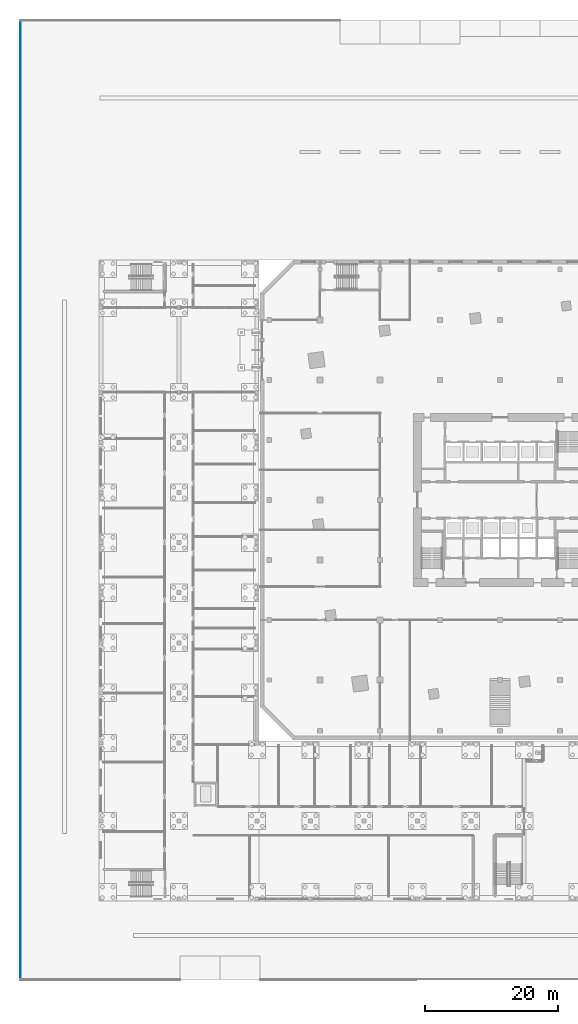
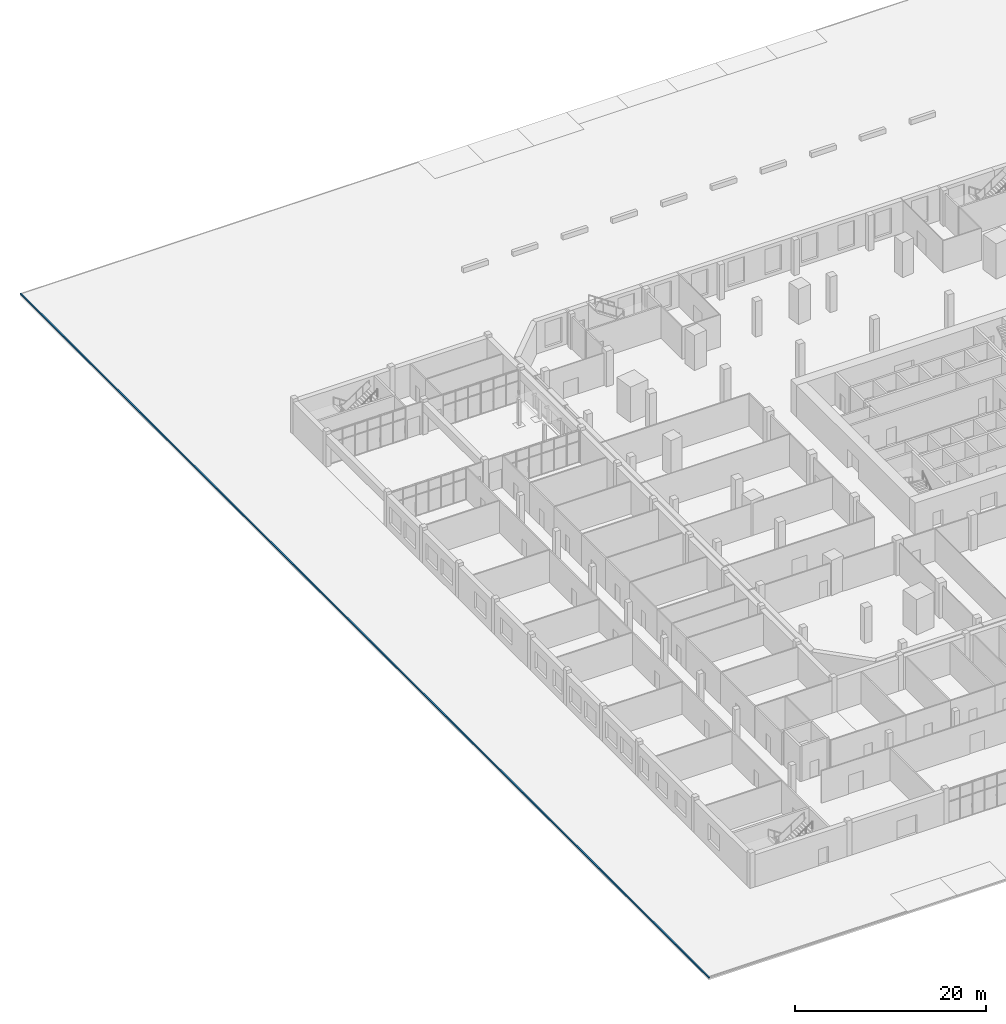
# One storey, part 17 of 42: 1 slab.
"""IFC4 building model written with IfcOpenShell, lengths in metres."""

from ifc_helpers import new_model, si_unit, direction, frame, origin, place, context, subcontext, project, spatial, polyline, outline, extrude, material, layer, layer_set, type_object, element, save


model = new_model("IFC4")

# Units and contexts
model_context = context("Model", 3, precision=1e-05, world=origin(), true_north=direction((0.0, 1.0)))
body_context = subcontext(model_context, "Body", "Model", "MODEL_VIEW")
ifc_project = project(units=[si_unit("LENGTHUNIT", "METRE"), si_unit("AREAUNIT", "SQUARE_METRE"), si_unit("VOLUMEUNIT", "CUBIC_METRE"), si_unit("PLANEANGLEUNIT", "RADIAN"), si_unit("MASSUNIT", "GRAM", prefix="KILO")], contexts=[model_context])

# Site, building, storey
site_placement = place(None, origin())
site = spatial("IfcSite", under=ifc_project, at=site_placement, CompositionType="ELEMENT")
building_placement = place(site_placement, origin())
building = spatial("IfcBuilding", under=site, at=building_placement, Name="Dilmun Exchange Tower", CompositionType="ELEMENT")
storey_placement = place(building_placement, origin())
storey = spatial("IfcBuildingStorey", under=building, at=storey_placement, Name="L00", CompositionType="ELEMENT", Elevation=0.0)

# Slab
ifc_material = material(Name="Granite paving on Concrete C20/25 bed", Category="masonry")
ifc_layer = layer(ifc_material, 0.14990234375)
ifc_layer_set = layer_set([ifc_layer], Name="Granite paving on Concrete C20/25 bed")
slab_type = type_object("IfcSlabType", Name="Boundary kerb course 150 granite", PredefinedType="USERDEFINED", material=ifc_layer_set)
slab_placement = place(storey_placement, frame((0.0, 0.0, -0.14990234375)))
element("IfcSlab", 1, at=slab_placement, inside=storey, type_object=slab_type, Name="Boundary kerb", ObjectType="PAVING", PredefinedType="USERDEFINED", context=body_context, shape_type="SweptSolid", body=[
    extrude(outline(polyline([(-71.85009765625, 72.0), (-71.85009765625, -72.0), (-72.0, -72.0), (-72.0, 72.0), (-71.85009765625, 72.0)])), origin(), (0.0, 0.0, 1.0), 0.14990234375),
])

save(model, "model.ifc")
